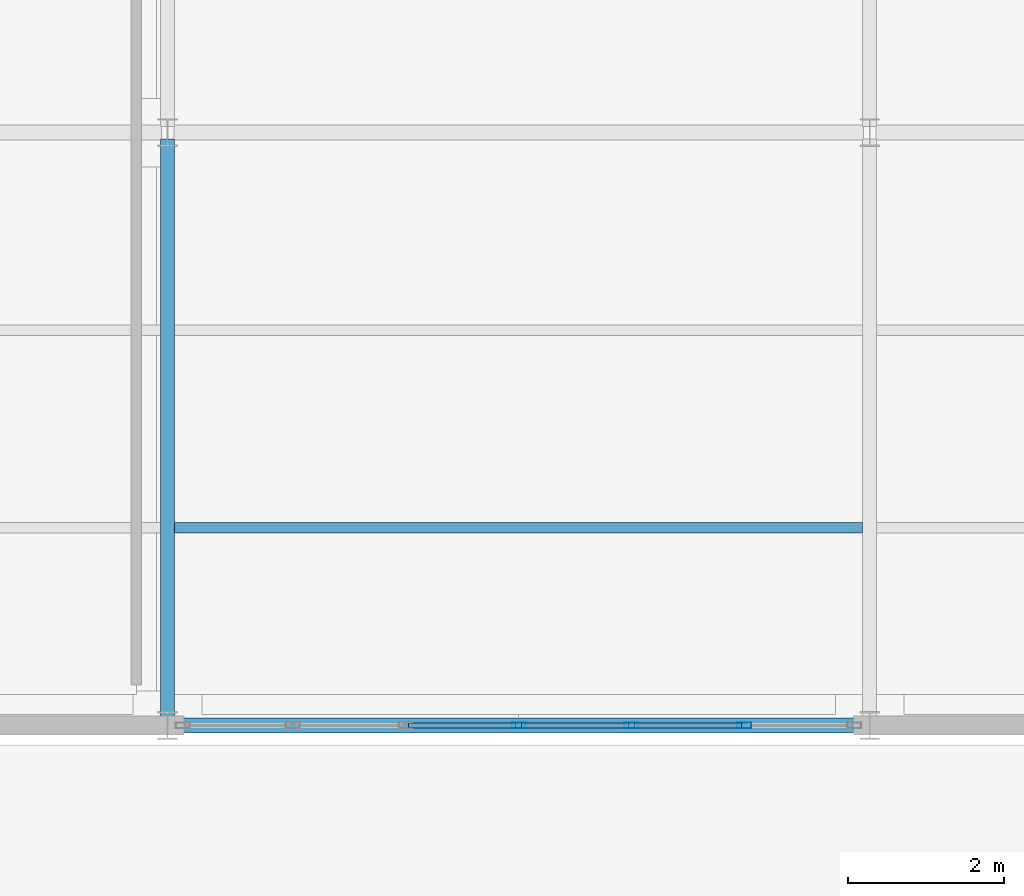
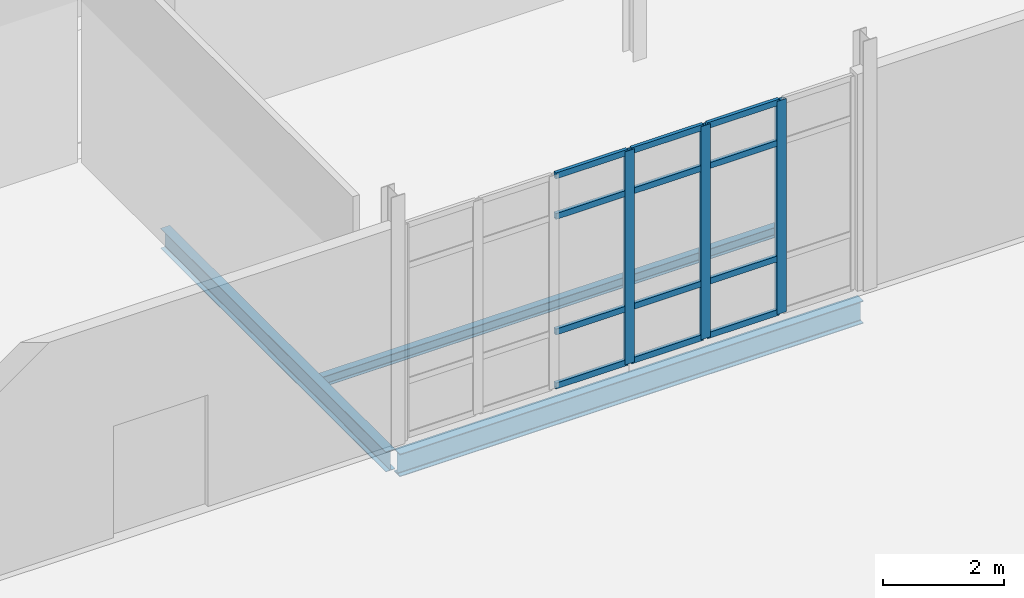
# One storey, part 78 of 161: 15 members, 3 beams, 1 element without a shape of its own.
"""IFC4 building model written with IfcOpenShell, lengths in metres."""

from ifc_helpers import new_model, si_unit, direction, frame, origin, origin_2d, place, context, subcontext, project, spatial, hollow_rectangle, i_section, extrude, material, material_profile, profile_set, type_object, element, aggregate, save


model = new_model("IFC4")

# Units and contexts
model_context = context("Model", 3, precision=1e-05, world=origin(), true_north=direction((0.0, 1.0)))
body_context = subcontext(model_context, "Body", "Model", "MODEL_VIEW")
ifc_project = project(units=[si_unit("LENGTHUNIT", "METRE"), si_unit("AREAUNIT", "SQUARE_METRE"), si_unit("VOLUMEUNIT", "CUBIC_METRE"), si_unit("PLANEANGLEUNIT", "RADIAN"), si_unit("MASSUNIT", "GRAM", prefix="KILO")], contexts=[model_context])

# Site, building, storey
site_placement = place(None, origin())
site = spatial("IfcSite", under=ifc_project, at=site_placement, CompositionType="ELEMENT")
building_placement = place(site_placement, origin())
building = spatial("IfcBuilding", under=site, at=building_placement, Name="Caisbarro Railhouse Central Library", CompositionType="ELEMENT")
storey_placement = place(building_placement, origin())
storey = spatial("IfcBuildingStorey", under=building, at=storey_placement, Name="L00", CompositionType="ELEMENT", Elevation=0.0)

# Beams
ifc_material_1 = material(Name="Steel ASTM A572 Grade 50", Category="steel")
ifc_material_profile_1 = material_profile(ifc_material_1, i_section(OverallWidth=0.177978515625, OverallDepth=0.406982421875, WebThickness=0.0078125, FlangeThickness=0.0126953125, FilletRadius=0.01611328125, at=origin_2d()), Name="W410X60.0")
ifc_profile_set_1 = profile_set([ifc_material_profile_1], Name="Steel ASTM A572 Grade 50")
beam_type_1 = type_object("IfcBeamType", Name="BM-G10", PredefinedType="BEAM", material=ifc_profile_set_1)
beam_1_placement = place(storey_placement, frame((72.0, 83.679931640625, -0.45361328125), z_axis=(0.0, 1.0, 0.0), x_axis=(-1.0, 0.0, 0.0)))
element("IfcBeam", 1, at=beam_1_placement, inside=storey, type_object=beam_type_1, Name="G10 beam L00 #639", PredefinedType="BEAM", context=body_context, shape_type="SweptSolid", body=[
    extrude(i_section(OverallWidth=0.177978515625, OverallDepth=0.406982421875, WebThickness=0.0078125, FlangeThickness=0.0126953125, FilletRadius=0.01611328125, at=origin_2d()), origin(), (0.0, 0.0, 1.0), 7.440185546875),
])
ifc_material_profile_2 = material_profile(ifc_material_1, i_section(OverallWidth=0.133056640625, OverallDepth=0.20703125, WebThickness=0.005859375, FlangeThickness=0.00830078125, FilletRadius=0.010009765625, at=origin_2d()), Name="W200X26.6")
ifc_profile_set_2 = profile_set([ifc_material_profile_2], Name="Steel ASTM A572 Grade 50")
beam_type_2 = type_object("IfcBeamType", Name="BM-J07", PredefinedType="JOIST", material=ifc_profile_set_2)
beam_2_placement = place(storey_placement, frame((72.089111328125, 86.13330078125, -0.353515625), z_axis=(1.0, 0.0, 0.0), x_axis=(0.0, 1.0, 0.0)))
element("IfcBeam", 2, at=beam_2_placement, inside=storey, type_object=beam_type_2, Name="J07 beam L00 #663", PredefinedType="JOIST", context=body_context, shape_type="SweptSolid", body=[
    extrude(i_section(OverallWidth=0.133056640625, OverallDepth=0.20703125, WebThickness=0.005859375, FlangeThickness=0.00830078125, FilletRadius=0.010009765625, at=origin_2d()), origin(), (0.0, 0.0, 1.0), 8.82177734375),
])
ifc_material_profile_3 = material_profile(ifc_material_1, i_section(OverallWidth=0.18994140625, OverallDepth=0.45703125, WebThickness=0.009033203125, FlangeThickness=0.014404296875, FilletRadius=0.01806640625, at=origin_2d()), Name="W460X74.0")
ifc_profile_set_3 = profile_set([ifc_material_profile_3], Name="Steel ASTM A572 Grade 50")
beam_type_3 = type_object("IfcBeamType", Name="BM-SP01", PredefinedType="SPANDREL", material=ifc_profile_set_3)
beam_3_placement = place(storey_placement, frame((72.080078125, 83.60009765625, -0.478515625), z_axis=(1.0, 0.0, 0.0), x_axis=(0.0, 1.0, 0.0)))
element("IfcBeam", 3, at=beam_3_placement, inside=storey, type_object=beam_type_3, Name="SP01 beam L00 #615", PredefinedType="SPANDREL", context=body_context, shape_type="SweptSolid", body=[
    extrude(i_section(OverallWidth=0.18994140625, OverallDepth=0.45703125, WebThickness=0.009033203125, FlangeThickness=0.014404296875, FilletRadius=0.01806640625, at=origin_2d()), origin(), (0.0, 0.0, 1.0), 8.83984375),
])

# Curtain wall, members
ifc_material_2 = material(Name="Anodised architectural aluminium", Category="aluminium")
curtain_wall_type = type_object("IfcCurtainWallType", Name="CW-CW02", PredefinedType="NOTDEFINED", material=ifc_material_2)
curtain_wall_placement = place(storey_placement, origin())
curtain_wall = element("IfcCurtainWall", 4, at=curtain_wall_placement, inside=storey, type_object=curtain_wall_type, Name="CW02 curtain wall L00 #168", PredefinedType="NOTDEFINED")
ifc_material_profile_4 = material_profile(ifc_material_2, hollow_rectangle(XDim=0.074951171875, YDim=0.179931640625, WallThickness=0.00439453125, at=origin_2d()), Name="ALU-MUL-75X180")
ifc_profile_set_4 = profile_set([ifc_material_profile_4], Name="Anodised architectural aluminium")
member_type_1 = type_object("IfcMemberType", Name="CWM-M01", PredefinedType="MULLION", material=ifc_profile_set_4)
member_1_placement = place(storey_placement, frame((76.5, 83.60009765625, 0.0), z_axis=(0.0, 0.0, 1.0), x_axis=(0.0, 1.0, 0.0)))
member_1 = element("IfcMember", 5, at=member_1_placement, type_object=member_type_1, Name="CW02 mullion 4", PredefinedType="MULLION", context=body_context, shape_type="SweptSolid", body=[
    extrude(hollow_rectangle(XDim=0.074951171875, YDim=0.179931640625, WallThickness=0.00439453125, at=origin_2d()), origin(), (0.0, 0.0, 1.0), 4.300048828125),
])
member_2_placement = place(storey_placement, frame((77.94677734375, 83.60009765625, 0.0), z_axis=(0.0, 0.0, 1.0), x_axis=(0.0, 1.0, 0.0)))
member_2 = element("IfcMember", 6, at=member_2_placement, type_object=member_type_1, Name="CW02 mullion 5", PredefinedType="MULLION", context=body_context, shape_type="SweptSolid", body=[
    extrude(hollow_rectangle(XDim=0.074951171875, YDim=0.179931640625, WallThickness=0.00439453125, at=origin_2d()), origin(), (0.0, 0.0, 1.0), 4.300048828125),
])
member_3_placement = place(storey_placement, frame((79.393310546875, 83.60009765625, 0.0), z_axis=(0.0, 0.0, 1.0), x_axis=(0.0, 1.0, 0.0)))
member_3 = element("IfcMember", 7, at=member_3_placement, type_object=member_type_1, Name="CW02 mullion 6", PredefinedType="MULLION", context=body_context, shape_type="SweptSolid", body=[
    extrude(hollow_rectangle(XDim=0.074951171875, YDim=0.179931640625, WallThickness=0.00439453125, at=origin_2d()), origin(), (0.0, 0.0, 1.0), 4.300048828125),
])
ifc_material_profile_5 = material_profile(ifc_material_2, hollow_rectangle(XDim=0.06494140625, YDim=0.1201171875, WallThickness=0.00341796875, at=origin_2d()), Name="ALU-TRN-65X120")
ifc_profile_set_5 = profile_set([ifc_material_profile_5], Name="Anodised architectural aluminium")
member_type_2 = type_object("IfcMemberType", Name="CWT-T02", PredefinedType="USERDEFINED", material=ifc_profile_set_5)
member_4_placement = place(storey_placement, frame((75.0908203125, 83.60009765625, 0.032470703125), z_axis=(1.0, 0.0, 0.0), x_axis=(0.0, 1.0, 0.0)))
member_4 = element("IfcMember", 8, at=member_4_placement, type_object=member_type_2, Name="CW02 transom 3.1", ObjectType="TRANSOM", PredefinedType="USERDEFINED", context=body_context, shape_type="SweptSolid", body=[
    extrude(hollow_rectangle(XDim=0.06494140625, YDim=0.1201171875, WallThickness=0.00341796875, at=origin_2d()), origin(), (0.0, 0.0, 1.0), 1.37158203125),
])
member_5_placement = place(storey_placement, frame((75.0908203125, 83.60009765625, 1.1201171875), z_axis=(1.0, 0.0, 0.0), x_axis=(0.0, 1.0, 0.0)))
member_5 = element("IfcMember", 9, at=member_5_placement, type_object=member_type_2, Name="CW02 transom 3.2", ObjectType="TRANSOM", PredefinedType="USERDEFINED", context=body_context, shape_type="SweptSolid", body=[
    extrude(hollow_rectangle(XDim=0.06494140625, YDim=0.1201171875, WallThickness=0.00341796875, at=origin_2d()), origin(), (0.0, 0.0, 1.0), 1.37158203125),
])
member_6_placement = place(storey_placement, frame((75.0908203125, 83.60009765625, 3.449951171875), z_axis=(1.0, 0.0, 0.0), x_axis=(0.0, 1.0, 0.0)))
member_6 = element("IfcMember", 10, at=member_6_placement, type_object=member_type_2, Name="CW02 transom 3.3", ObjectType="TRANSOM", PredefinedType="USERDEFINED", context=body_context, shape_type="SweptSolid", body=[
    extrude(hollow_rectangle(XDim=0.06494140625, YDim=0.1201171875, WallThickness=0.00341796875, at=origin_2d()), origin(), (0.0, 0.0, 1.0), 1.37158203125),
])
member_7_placement = place(storey_placement, frame((75.0908203125, 83.60009765625, 4.267578125), z_axis=(1.0, 0.0, 0.0), x_axis=(0.0, 1.0, 0.0)))
member_7 = element("IfcMember", 11, at=member_7_placement, type_object=member_type_2, Name="CW02 transom 3.4", ObjectType="TRANSOM", PredefinedType="USERDEFINED", context=body_context, shape_type="SweptSolid", body=[
    extrude(hollow_rectangle(XDim=0.06494140625, YDim=0.1201171875, WallThickness=0.00341796875, at=origin_2d()), origin(), (0.0, 0.0, 1.0), 1.37158203125),
])
member_8_placement = place(storey_placement, frame((76.53759765625, 83.60009765625, 0.032470703125), z_axis=(1.0, 0.0, 0.0), x_axis=(0.0, 1.0, 0.0)))
member_8 = element("IfcMember", 12, at=member_8_placement, type_object=member_type_2, Name="CW02 transom 4.1", ObjectType="TRANSOM", PredefinedType="USERDEFINED", context=body_context, shape_type="SweptSolid", body=[
    extrude(hollow_rectangle(XDim=0.06494140625, YDim=0.1201171875, WallThickness=0.00341796875, at=origin_2d()), origin(), (0.0, 0.0, 1.0), 1.37158203125),
])
member_9_placement = place(storey_placement, frame((76.53759765625, 83.60009765625, 1.1201171875), z_axis=(1.0, 0.0, 0.0), x_axis=(0.0, 1.0, 0.0)))
member_9 = element("IfcMember", 13, at=member_9_placement, type_object=member_type_2, Name="CW02 transom 4.2", ObjectType="TRANSOM", PredefinedType="USERDEFINED", context=body_context, shape_type="SweptSolid", body=[
    extrude(hollow_rectangle(XDim=0.06494140625, YDim=0.1201171875, WallThickness=0.00341796875, at=origin_2d()), origin(), (0.0, 0.0, 1.0), 1.37158203125),
])
member_10_placement = place(storey_placement, frame((76.53759765625, 83.60009765625, 3.449951171875), z_axis=(1.0, 0.0, 0.0), x_axis=(0.0, 1.0, 0.0)))
member_10 = element("IfcMember", 14, at=member_10_placement, type_object=member_type_2, Name="CW02 transom 4.3", ObjectType="TRANSOM", PredefinedType="USERDEFINED", context=body_context, shape_type="SweptSolid", body=[
    extrude(hollow_rectangle(XDim=0.06494140625, YDim=0.1201171875, WallThickness=0.00341796875, at=origin_2d()), origin(), (0.0, 0.0, 1.0), 1.37158203125),
])
member_11_placement = place(storey_placement, frame((76.53759765625, 83.60009765625, 4.267578125), z_axis=(1.0, 0.0, 0.0), x_axis=(0.0, 1.0, 0.0)))
member_11 = element("IfcMember", 15, at=member_11_placement, type_object=member_type_2, Name="CW02 transom 4.4", ObjectType="TRANSOM", PredefinedType="USERDEFINED", context=body_context, shape_type="SweptSolid", body=[
    extrude(hollow_rectangle(XDim=0.06494140625, YDim=0.1201171875, WallThickness=0.00341796875, at=origin_2d()), origin(), (0.0, 0.0, 1.0), 1.37158203125),
])
member_12_placement = place(storey_placement, frame((77.984130859375, 83.60009765625, 0.032470703125), z_axis=(1.0, 0.0, 0.0), x_axis=(0.0, 1.0, 0.0)))
member_12 = element("IfcMember", 16, at=member_12_placement, type_object=member_type_2, Name="CW02 transom 5.1", ObjectType="TRANSOM", PredefinedType="USERDEFINED", context=body_context, shape_type="SweptSolid", body=[
    extrude(hollow_rectangle(XDim=0.06494140625, YDim=0.1201171875, WallThickness=0.00341796875, at=origin_2d()), origin(), (0.0, 0.0, 1.0), 1.37158203125),
])
member_13_placement = place(storey_placement, frame((77.984130859375, 83.60009765625, 1.1201171875), z_axis=(1.0, 0.0, 0.0), x_axis=(0.0, 1.0, 0.0)))
member_13 = element("IfcMember", 17, at=member_13_placement, type_object=member_type_2, Name="CW02 transom 5.2", ObjectType="TRANSOM", PredefinedType="USERDEFINED", context=body_context, shape_type="SweptSolid", body=[
    extrude(hollow_rectangle(XDim=0.06494140625, YDim=0.1201171875, WallThickness=0.00341796875, at=origin_2d()), origin(), (0.0, 0.0, 1.0), 1.37158203125),
])
member_14_placement = place(storey_placement, frame((77.984130859375, 83.60009765625, 3.449951171875), z_axis=(1.0, 0.0, 0.0), x_axis=(0.0, 1.0, 0.0)))
member_14 = element("IfcMember", 18, at=member_14_placement, type_object=member_type_2, Name="CW02 transom 5.3", ObjectType="TRANSOM", PredefinedType="USERDEFINED", context=body_context, shape_type="SweptSolid", body=[
    extrude(hollow_rectangle(XDim=0.06494140625, YDim=0.1201171875, WallThickness=0.00341796875, at=origin_2d()), origin(), (0.0, 0.0, 1.0), 1.37158203125),
])
member_15_placement = place(storey_placement, frame((77.984130859375, 83.60009765625, 4.267578125), z_axis=(1.0, 0.0, 0.0), x_axis=(0.0, 1.0, 0.0)))
member_15 = element("IfcMember", 19, at=member_15_placement, type_object=member_type_2, Name="CW02 transom 5.4", ObjectType="TRANSOM", PredefinedType="USERDEFINED", context=body_context, shape_type="SweptSolid", body=[
    extrude(hollow_rectangle(XDim=0.06494140625, YDim=0.1201171875, WallThickness=0.00341796875, at=origin_2d()), origin(), (0.0, 0.0, 1.0), 1.37158203125),
])
aggregate(curtain_wall, [member_1, member_2, member_3, member_4, member_5, member_6, member_7, member_8, member_9, member_10, member_11, member_12, member_13, member_14, member_15])

save(model, "model.ifc")
